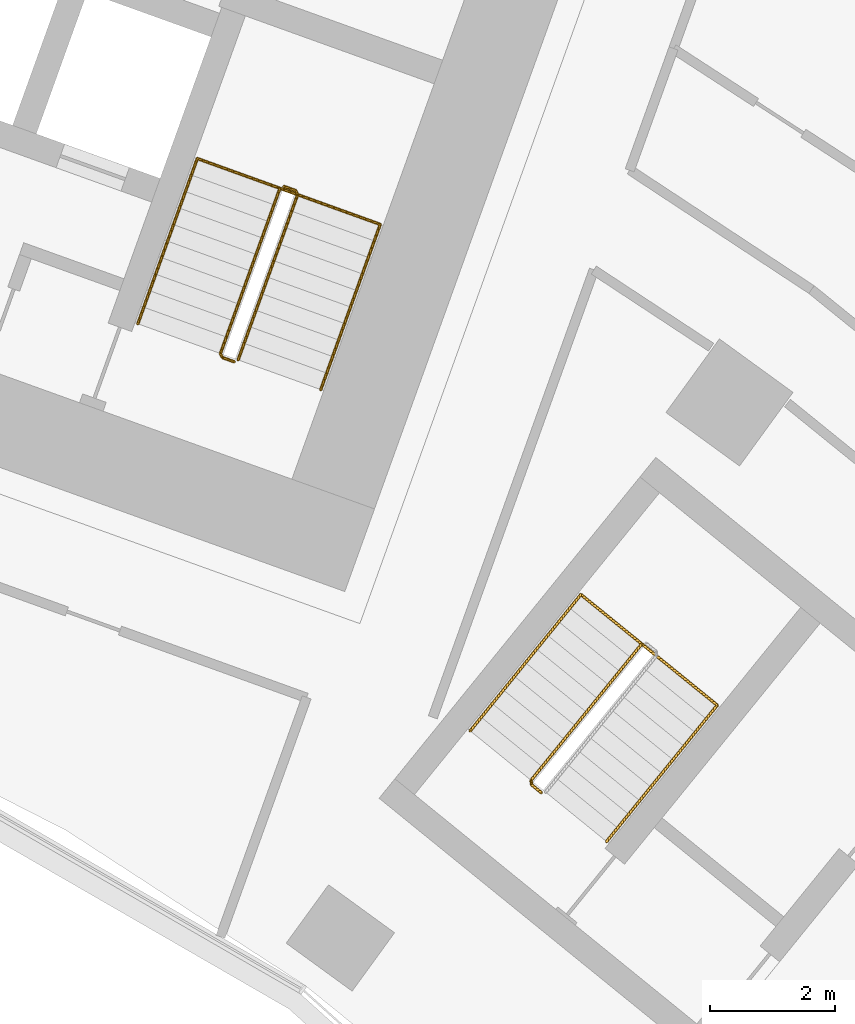
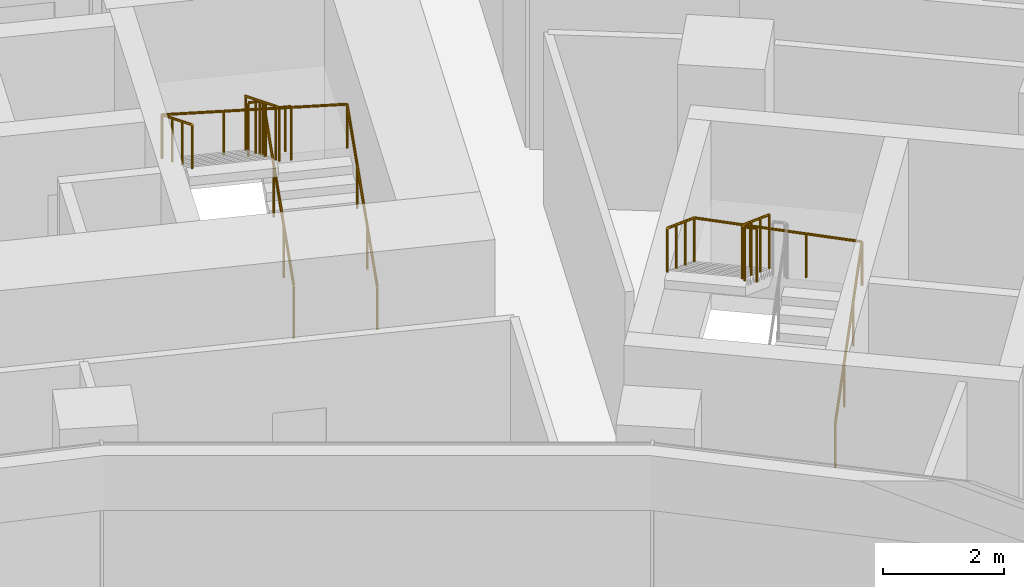
# One storey, part 20 of 20: 5 railings.
"""IFC4 building model written with IfcOpenShell, lengths in metres."""

from ifc_helpers import new_model, si_unit, direction, frame, origin, origin_2d, place, context, subcontext, project, spatial, circle, extrude, material, type_object, element, save


model = new_model("IFC4")

# Units and contexts
model_context = context("Model", 3, precision=1e-05, world=origin(), true_north=direction((0.0, 1.0)))
body_context = subcontext(model_context, "Body", "Model", "MODEL_VIEW")
ifc_project = project(units=[si_unit("LENGTHUNIT", "METRE"), si_unit("AREAUNIT", "SQUARE_METRE"), si_unit("VOLUMEUNIT", "CUBIC_METRE"), si_unit("PLANEANGLEUNIT", "RADIAN"), si_unit("MASSUNIT", "GRAM", prefix="KILO")], contexts=[model_context])

# Site, building, storey
site_placement = place(None, origin())
site = spatial("IfcSite", under=ifc_project, at=site_placement, CompositionType="ELEMENT")
building_placement = place(site_placement, origin())
building = spatial("IfcBuilding", under=site, at=building_placement, Name="Stone Belt Terrace Tower", CompositionType="ELEMENT")
storey_placement = place(building_placement, frame((0.0, 0.0, 125.0)))
storey = spatial("IfcBuildingStorey", under=building, at=storey_placement, Name="L30", CompositionType="ELEMENT", Elevation=125.0)

# Railings
ifc_material = material(Name="Structural steel C345", Category="steel")
railing_type_1 = type_object("IfcRailingType", Name="Stair guard 1100", PredefinedType="GUARDRAIL", material=ifc_material)
railing_1_placement = place(storey_placement, frame((24.494140625, 45.174560546875, 0.172607421875)))
element("IfcRailing", 1, at=railing_1_placement, inside=storey, type_object=railing_type_1, Name="L30 ST1B stair guard 1", PredefinedType="GUARDRAIL", context=body_context, shape_type="SweptSolid", body=[
    extrude(circle(Radius=0.02392578125, at=origin_2d()), frame((0.0, 0.0, 1.076171875), z_axis=(0.288228637646, 0.800791768495, 0.525030280985), x_axis=(-0.940908529223, 0.338660803216, 0.0)), (0.0, 0.0, 1.0), 3.289794921875),
    extrude(circle(Radius=0.02392578125, at=origin_2d()), frame((0.9482421875, 2.634521484375, 2.80322265625), z_axis=(-0.424964916, 0.905209821074, 0.0), x_axis=(-0.905209821074, -0.424964916, 0.0)), (0.0, 0.0, 1.0), 0.070556640625),
    extrude(circle(Radius=0.02392578125, at=origin_2d()), frame((0.918212890625, 2.698486328125, 2.80322265625), z_axis=(-0.941105063269, 0.338114270461, 0.0), x_axis=(-0.338114270461, -0.941105063269, 0.0)), (0.0, 0.0, 1.0), 0.199951171875),
    extrude(circle(Radius=0.02099609375, at=origin_2d()), origin(), (0.0, 0.0, 1.0), 1.052001953125),
    extrude(circle(Radius=0.02099609375, at=origin_2d()), frame((0.316162109375, 0.878173828125, 0.57568359375)), (0.0, 0.0, 1.0), 1.052001953125),
    extrude(circle(Radius=0.02099609375, at=origin_2d()), frame((0.632080078125, 1.75634765625, 1.151611328125)), (0.0, 0.0, 1.0), 1.052001953125),
    extrude(circle(Radius=0.02099609375, at=origin_2d()), frame((0.9482421875, 2.634521484375, 1.727294921875)), (0.0, 0.0, 1.0), 1.052001953125),
    extrude(circle(Radius=0.02099609375, at=origin_2d()), frame((0.918212890625, 2.698486328125, 1.727294921875)), (0.0, 0.0, 1.0), 1.052001953125),
    extrude(circle(Radius=0.02099609375, at=origin_2d()), frame((0.72998046875, 2.76611328125, 1.727294921875)), (0.0, 0.0, 1.0), 1.052001953125),
])
railing_2_placement = place(storey_placement, frame((25.16015625, 47.91064453125, 2.07275390625)))
element("IfcRailing", 2, at=railing_2_placement, inside=storey, type_object=railing_type_1, Name="L30 ST1B stair guard 2", PredefinedType="GUARDRAIL", context=body_context, shape_type="SweptSolid", body=[
    extrude(circle(Radius=0.02392578125, at=origin_2d()), frame((0.0, 0.0, 1.076171875), z_axis=(-0.288228637646, -0.800791768495, 0.525030280985), x_axis=(0.940908529223, -0.338660803216, 0.0)), (0.0, 0.0, 1.0), 3.289794921875),
    extrude(circle(Radius=0.02392578125, at=origin_2d()), frame((-0.9482421875, -2.634521484375, 2.80322265625), z_axis=(0.427789722475, -0.903878284585, 0.0), x_axis=(0.903878284585, 0.427789722475, 0.0)), (0.0, 0.0, 1.0), 0.07080078125),
    extrude(circle(Radius=0.02392578125, at=origin_2d()), frame((-0.91796875, -2.698486328125, 2.80322265625), z_axis=(0.940575576748, -0.339584429008, 0.0), x_axis=(0.339584429008, 0.940575576748, 0.0)), (0.0, 0.0, 1.0), 0.199951171875),
    extrude(circle(Radius=0.02099609375, at=origin_2d()), origin(), (0.0, 0.0, 1.0), 1.052001953125),
    extrude(circle(Radius=0.02099609375, at=origin_2d()), frame((-0.316162109375, -0.878173828125, 0.57568359375)), (0.0, 0.0, 1.0), 1.052001953125),
    extrude(circle(Radius=0.02099609375, at=origin_2d()), frame((-0.632080078125, -1.75634765625, 1.151611328125)), (0.0, 0.0, 1.0), 1.052001953125),
    extrude(circle(Radius=0.02099609375, at=origin_2d()), frame((-0.9482421875, -2.634521484375, 1.727294921875)), (0.0, 0.0, 1.0), 1.052001953125),
    extrude(circle(Radius=0.02099609375, at=origin_2d()), frame((-0.91796875, -2.698486328125, 1.727294921875)), (0.0, 0.0, 1.0), 1.052001953125),
    extrude(circle(Radius=0.02099609375, at=origin_2d()), frame((-0.72998046875, -2.766357421875, 1.727294921875)), (0.0, 0.0, 1.0), 1.052001953125),
])
railing_3_placement = place(storey_placement, frame((30.9296875, 40.64501953125, 2.07275390625)))
element("IfcRailing", 3, at=railing_3_placement, inside=storey, type_object=railing_type_1, Name="L30 ST3B stair guard 2", PredefinedType="GUARDRAIL", context=body_context, shape_type="SweptSolid", body=[
    extrude(circle(Radius=0.02392578125, at=origin_2d()), frame((0.0, 0.0, 1.076171875), z_axis=(-0.536366759382, -0.660811565066, 0.525013118792), x_axis=(0.776425942316, -0.630208502084, 0.0)), (0.0, 0.0, 1.0), 3.2900390625),
    extrude(circle(Radius=0.02392578125, at=origin_2d()), frame((-1.7646484375, -2.174072265625, 2.80322265625), z_axis=(0.103606084259, -0.994618408891, 0.0), x_axis=(0.994618408891, 0.103606084259, 0.0)), (0.0, 0.0, 1.0), 0.07080078125),
    extrude(circle(Radius=0.02392578125, at=origin_2d()), frame((-1.75732421875, -2.244384765625, 2.80322265625), z_axis=(0.776561986372, -0.630040856868, 0.0), x_axis=(0.630040856868, 0.776561986372, 0.0)), (0.0, 0.0, 1.0), 0.199951171875),
    extrude(circle(Radius=0.02099609375, at=origin_2d()), origin(), (0.0, 0.0, 1.0), 1.052001953125),
    extrude(circle(Radius=0.02099609375, at=origin_2d()), frame((-0.588134765625, -0.724609375, 0.57568359375)), (0.0, 0.0, 1.0), 1.052001953125),
    extrude(circle(Radius=0.02099609375, at=origin_2d()), frame((-1.176513671875, -1.449462890625, 1.151611328125)), (0.0, 0.0, 1.0), 1.052001953125),
    extrude(circle(Radius=0.02099609375, at=origin_2d()), frame((-1.7646484375, -2.174072265625, 1.727294921875)), (0.0, 0.0, 1.0), 1.052001953125),
    extrude(circle(Radius=0.02099609375, at=origin_2d()), frame((-1.75732421875, -2.244384765625, 1.727294921875)), (0.0, 0.0, 1.0), 1.052001953125),
    extrude(circle(Radius=0.02099609375, at=origin_2d()), frame((-1.60205078125, -2.370361328125, 1.727294921875)), (0.0, 0.0, 1.0), 1.052001953125),
])
railing_type_2 = type_object("IfcRailingType", Name="Stair handrail 900", PredefinedType="HANDRAIL", material=ifc_material)
railing_4_placement = place(storey_placement, frame((25.8115234375, 44.700439453125, 0.172607421875)))
element("IfcRailing", 4, at=railing_4_placement, inside=storey, type_object=railing_type_2, Name="L30 ST1B stair handrail 1", PredefinedType="HANDRAIL", context=body_context, shape_type="SweptSolid", body=[
    extrude(circle(Radius=0.02392578125, at=origin_2d()), frame((0.0, 0.0, 0.8759765625), z_axis=(0.288228637646, 0.800791768495, 0.525030280985), x_axis=(-0.940908529223, 0.338660803216, 0.0)), (0.0, 0.0, 1.0), 3.289794921875),
    extrude(circle(Radius=0.02392578125, at=origin_2d()), frame((0.9482421875, 2.634521484375, 2.60302734375), z_axis=(-0.939460408074, 0.338105101667, 0.055669398135), x_axis=(-0.338630230244, -0.940919532779, 0.0)), (0.0, 0.0, 1.0), 3.10498046875),
    extrude(circle(Radius=0.02392578125, at=origin_2d()), frame((-1.96875, 3.684326171875, 2.77587890625), z_axis=(-0.288160591223, -0.800808895155, 0.52504150989), x_axis=(0.940936311087, -0.338583606334, 0.0)), (0.0, 0.0, 1.0), 3.289794921875),
    extrude(circle(Radius=0.02099609375, at=origin_2d()), origin(), (0.0, 0.0, 1.0), 0.851806640625),
    extrude(circle(Radius=0.02099609375, at=origin_2d()), frame((0.316162109375, 0.878173828125, 0.57568359375)), (0.0, 0.0, 1.0), 0.851806640625),
    extrude(circle(Radius=0.02099609375, at=origin_2d()), frame((0.632080078125, 1.75634765625, 1.151611328125)), (0.0, 0.0, 1.0), 0.851806640625),
    extrude(circle(Radius=0.02099609375, at=origin_2d()), frame((0.9482421875, 2.634521484375, 1.727294921875)), (0.0, 0.0, 1.0), 0.851806640625),
    extrude(circle(Radius=0.02099609375, at=origin_2d()), frame((-0.024169921875, 2.984375, 1.784912109375)), (0.0, 0.0, 1.0), 0.851806640625),
    extrude(circle(Radius=0.02099609375, at=origin_2d()), frame((-0.996337890625, 3.33447265625, 1.842529296875)), (0.0, 0.0, 1.0), 0.851806640625),
    extrude(circle(Radius=0.02099609375, at=origin_2d()), frame((-1.96875, 3.684326171875, 1.900146484375)), (0.0, 0.0, 1.0), 0.851806640625),
    extrude(circle(Radius=0.02099609375, at=origin_2d()), frame((-2.28466796875, 2.80615234375, 2.475830078125)), (0.0, 0.0, 1.0), 0.851806640625),
    extrude(circle(Radius=0.02099609375, at=origin_2d()), frame((-2.600830078125, 1.927978515625, 3.0517578125)), (0.0, 0.0, 1.0), 0.851806640625),
    extrude(circle(Radius=0.02099609375, at=origin_2d()), frame((-2.916748046875, 1.0498046875, 3.62744140625)), (0.0, 0.0, 1.0), 0.851806640625),
])
railing_5_placement = place(storey_placement, frame((30.36865234375, 37.494140625, 0.172607421875)))
element("IfcRailing", 5, at=railing_5_placement, inside=storey, type_object=railing_type_2, Name="L30 ST3B stair handrail 1", PredefinedType="HANDRAIL", context=body_context, shape_type="SweptSolid", body=[
    extrude(circle(Radius=0.02392578125, at=origin_2d()), frame((0.0, 0.0, 0.8759765625), z_axis=(0.536366759382, 0.660811565066, 0.525013118792), x_axis=(-0.776425942316, 0.630208502084, 0.0)), (0.0, 0.0, 1.0), 3.2900390625),
    extrude(circle(Radius=0.02392578125, at=origin_2d()), frame((1.7646484375, 2.174072265625, 2.60302734375), z_axis=(-0.774950814199, 0.629011171817, 0.061613158501), x_axis=(-0.630208502084, -0.776425942316, 0.0)), (0.0, 0.0, 1.0), 2.805419921875),
    extrude(circle(Radius=0.02392578125, at=origin_2d()), frame((-0.409423828125, 3.938720703125, 2.77587890625), z_axis=(-0.536366759382, -0.660811565066, 0.525013118792), x_axis=(0.776425942316, -0.630208502084, 0.0)), (0.0, 0.0, 1.0), 3.2900390625),
    extrude(circle(Radius=0.02099609375, at=origin_2d()), origin(), (0.0, 0.0, 1.0), 0.851806640625),
    extrude(circle(Radius=0.02099609375, at=origin_2d()), frame((0.588134765625, 0.724609375, 0.57568359375)), (0.0, 0.0, 1.0), 0.851806640625),
    extrude(circle(Radius=0.02099609375, at=origin_2d()), frame((1.176513671875, 1.449462890625, 1.151611328125)), (0.0, 0.0, 1.0), 0.851806640625),
    extrude(circle(Radius=0.02099609375, at=origin_2d()), frame((1.7646484375, 2.174072265625, 1.727294921875)), (0.0, 0.0, 1.0), 0.851806640625),
    extrude(circle(Radius=0.02099609375, at=origin_2d()), frame((1.0400390625, 2.76220703125, 1.784912109375)), (0.0, 0.0, 1.0), 0.851806640625),
    extrude(circle(Radius=0.02099609375, at=origin_2d()), frame((0.315185546875, 3.3505859375, 1.842529296875)), (0.0, 0.0, 1.0), 0.851806640625),
    extrude(circle(Radius=0.02099609375, at=origin_2d()), frame((-0.409423828125, 3.938720703125, 1.900146484375)), (0.0, 0.0, 1.0), 0.851806640625),
    extrude(circle(Radius=0.02099609375, at=origin_2d()), frame((-0.99755859375, 3.214111328125, 2.475830078125)), (0.0, 0.0, 1.0), 0.851806640625),
    extrude(circle(Radius=0.02099609375, at=origin_2d()), frame((-1.5859375, 2.4892578125, 3.0517578125)), (0.0, 0.0, 1.0), 0.851806640625),
    extrude(circle(Radius=0.02099609375, at=origin_2d()), frame((-2.174072265625, 1.7646484375, 3.62744140625)), (0.0, 0.0, 1.0), 0.851806640625),
])

save(model, "model.ifc")
